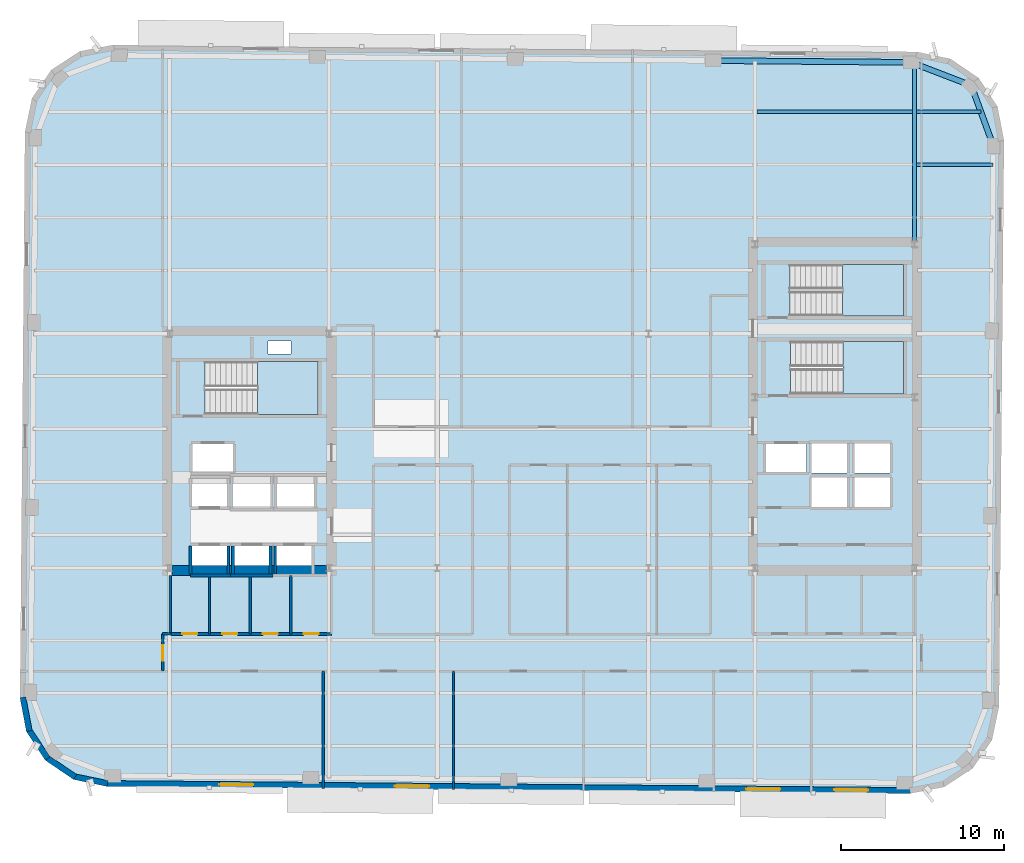
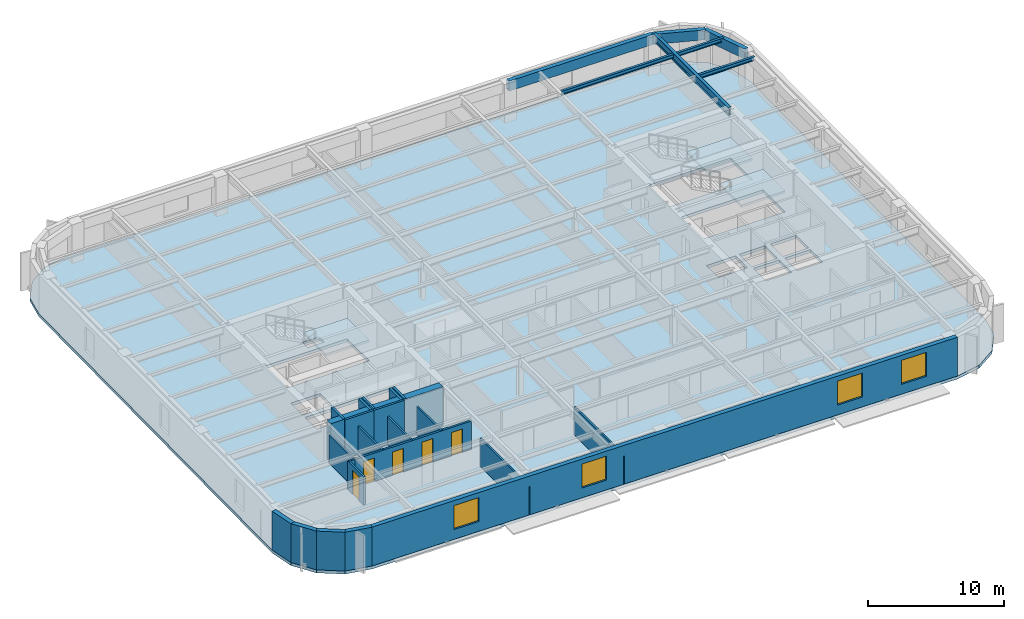
# One storey, part 3 of 12: 22 walls, 7 beams, 5 doors, 4 slabs, 4 windows, 9 openings, 3 elements without a shape of their own.
"""IFC4 building model written with IfcOpenShell, lengths in metres."""

from ifc_helpers import new_model, si_unit, direction, frame, frame_2d, origin, origin_2d, place, context, subcontext, project, spatial, polyline, rectangle, hollow_rectangle, i_section, outline, extrude, material, layer, layer_set, material_profile, profile_set, type_object, element, fill, aggregate, save


model = new_model("IFC4")

# Units and contexts
model_context = context("Model", 3, precision=1e-05, world=origin(), true_north=direction((0.0, 1.0)))
body_context = subcontext(model_context, "Body", "Model", "MODEL_VIEW")
ifc_project = project(units=[si_unit("LENGTHUNIT", "METRE"), si_unit("AREAUNIT", "SQUARE_METRE"), si_unit("VOLUMEUNIT", "CUBIC_METRE"), si_unit("PLANEANGLEUNIT", "RADIAN"), si_unit("MASSUNIT", "GRAM", prefix="KILO")], contexts=[model_context])

# Site, building, storey
site_placement = place(None, origin())
site = spatial("IfcSite", under=ifc_project, at=site_placement, CompositionType="ELEMENT")
building_placement = place(site_placement, origin())
building = spatial("IfcBuilding", under=site, at=building_placement, Name="Kolvaren Arena Tower", CompositionType="ELEMENT")
storey_placement = place(building_placement, frame((0.0, 0.0, 199.699951171875)))
storey = spatial("IfcBuildingStorey", under=building, at=storey_placement, Name="L48", CompositionType="ELEMENT", Elevation=199.699951171875)

# Beams
ifc_material_1 = material(Name="Steel CSA G40.21 350W", Category="steel")
ifc_material_profile_1 = material_profile(ifc_material_1, i_section(OverallWidth=0.2548828125, OverallDepth=0.695068359375, WebThickness=0.01708984375, FlangeThickness=0.02978515625, FilletRadius=0.01611328125, at=origin_2d()), Name="W690x217")
ifc_profile_set_1 = profile_set([ifc_material_profile_1], Name="Steel CSA G40.21 350W")
beam_type_1 = type_object("IfcBeamType", Name="GIRD-T2", PredefinedType="BEAM", material=ifc_profile_set_1)
beam_1_placement = place(storey_placement, frame((60.35009765625, 39.47998046875, 3.132568359375), z_axis=(0.0, 1.0, 0.0), x_axis=(-1.0, 0.0, 0.0)))
element("IfcBeam", 1, at=beam_1_placement, inside=storey, type_object=beam_type_1, Name="Primary Floor Girder (L48)", PredefinedType="BEAM", context=body_context, shape_type="SweptSolid", body=[
    extrude(i_section(OverallWidth=0.2548828125, OverallDepth=0.695068359375, WebThickness=0.01708984375, FlangeThickness=0.02978515625, FilletRadius=0.01611328125, at=origin_2d()), origin(), (0.0, 0.0, 1.0), 10.976806640625),
])
ifc_material_profile_2 = material_profile(ifc_material_1, i_section(OverallWidth=0.202880859375, OverallDepth=0.346923828125, WebThickness=0.0078125, FlangeThickness=0.013427734375, FilletRadius=0.010986328125, at=origin_2d()), Name="W360x64")
ifc_profile_set_2 = profile_set([ifc_material_profile_2], Name="Steel CSA G40.21 350W")
beam_type_2 = type_object("IfcBeamType", Name="JOIST-01", PredefinedType="JOIST", material=ifc_profile_set_2)
beam_2_placement = place(storey_placement, frame((60.4775390625, 44.25, 3.306640625), z_axis=(1.0, 0.0, 0.0), x_axis=(0.0, 1.0, 0.0)))
element("IfcBeam", 2, at=beam_2_placement, inside=storey, type_object=beam_type_2, Name="Composite Floor Joist (L48)", PredefinedType="JOIST", context=body_context, shape_type="SweptSolid", body=[
    extrude(i_section(OverallWidth=0.202880859375, OverallDepth=0.346923828125, WebThickness=0.0078125, FlangeThickness=0.013427734375, FilletRadius=0.010986328125, at=origin_2d()), origin(), (0.0, 0.0, 1.0), 4.710205078125),
])
beam_3_placement = place(storey_placement, frame((50.677490234375, 47.5, 3.306640625), z_axis=(1.0, 0.0, 0.0), x_axis=(0.0, 1.0, 0.0)))
element("IfcBeam", 3, at=beam_3_placement, inside=storey, type_object=beam_type_2, Name="Composite Floor Joist (L48)", PredefinedType="JOIST", context=body_context, shape_type="SweptSolid", body=[
    extrude(i_section(OverallWidth=0.202880859375, OverallDepth=0.346923828125, WebThickness=0.0078125, FlangeThickness=0.013427734375, FilletRadius=0.010986328125, at=origin_2d()), origin(), (0.0, 0.0, 1.0), 9.544921875),
])
beam_4_placement = place(storey_placement, frame((60.4775390625, 47.5, 3.306640625), z_axis=(1.0, 0.0, 0.0), x_axis=(0.0, 1.0, 0.0)))
element("IfcBeam", 4, at=beam_4_placement, inside=storey, type_object=beam_type_2, Name="Composite Floor Joist (L48)", PredefinedType="JOIST", context=body_context, shape_type="SweptSolid", body=[
    extrude(i_section(OverallWidth=0.202880859375, OverallDepth=0.346923828125, WebThickness=0.0078125, FlangeThickness=0.013427734375, FilletRadius=0.010986328125, at=origin_2d()), origin(), (0.0, 0.0, 1.0), 3.950439453125),
])
ifc_material_2 = material(Name="Steel CSA G40.21 350WT", Category="steel")
ifc_material_profile_3 = material_profile(ifc_material_2, hollow_rectangle(XDim=0.35009765625, YDim=0.89990234375, WallThickness=0.02001953125, at=origin_2d()), Name="HSS 900x350x20")
ifc_profile_set_3 = profile_set([ifc_material_profile_3], Name="Steel CSA G40.21 350WT")
beam_type_3 = type_object("IfcBeamType", Name="SPAND-01", PredefinedType="SPANDREL", material=ifc_profile_set_3)
for number, where, z_axis, x_axis, name in (
    (5, (65.19775390625, 45.392333984375, 3.030029296875), (-0.343059102458, 0.939313819882, 0.0), (-0.939313819882, -0.343059102458, 0.0), "Perimeter Spandrel Beam (L48)"),
    (6, (63.8388671875, 49.113037109375, 3.030029296875), (-0.933189846698, 0.359383792094, 0.0), (-0.359383792094, -0.933189846698, 0.0), "Perimeter Spandrel Beam (L48)"),
):
    element("IfcBeam", number, at=place(storey_placement, frame(where, z_axis=z_axis, x_axis=x_axis)), inside=storey, type_object=beam_type_3, Name=name, PredefinedType="SPANDREL", context=body_context, shape_type="SweptSolid", body=[
        extrude(hollow_rectangle(XDim=0.35009765625, YDim=0.89990234375, WallThickness=0.02001953125, at=origin_2d()), origin(), (0.0, 0.0, 1.0), 3.961181640625),
    ])
beam_5_placement = place(storey_placement, frame((60.142333984375, 50.53662109375, 3.030029296875), z_axis=(-0.99996195503, 0.008722871848, 0.0), x_axis=(-0.008722871848, -0.99996195503, 0.0)))
element("IfcBeam", 7, at=beam_5_placement, inside=storey, type_object=beam_type_3, Name="Perimeter Spandrel Beam (L48)", PredefinedType="SPANDREL", context=body_context, shape_type="SweptSolid", body=[
    extrude(hollow_rectangle(XDim=0.35009765625, YDim=0.89990234375, WallThickness=0.02001953125, at=origin_2d()), origin(), (0.0, 0.0, 1.0), 12.175048828125),
])

# Stair, slab
ifc_material_3 = material(Name="Concrete 45 MPa", Category="concrete")
stair_type_1 = type_object("IfcStairType", Name="STAIR-CORE-165", PredefinedType="HALF_TURN_STAIR", material=ifc_material_3)
stair_1_placement = place(storey_placement, origin())
stair_1 = element("IfcStair", 8, at=stair_1_placement, inside=storey, type_object=stair_type_1, Name="L48 ST-W1", PredefinedType="HALF_TURN_STAIR")
ifc_layer_1 = layer(ifc_material_3, 0.199951171875)
ifc_layer_set_1 = layer_set([ifc_layer_1], Name="Concrete 45 MPa")
slab_type_1 = type_object("IfcSlabType", Name="SLAB-LAND", PredefinedType="LANDING", material=ifc_layer_set_1)
slab_1_placement = place(storey_placement, frame((0.0, 0.0, 1.675048828125)))
slab_1 = element("IfcSlab", 9, at=slab_1_placement, type_object=slab_type_1, Name="ST-W1 landing 1", PredefinedType="LANDING", context=body_context, shape_type="SweptSolid", body=[
    extrude(outline(polyline([(19.9599609375, 28.89990234375), (23.659912109375, 28.89990234375), (23.659912109375, 32.1298828125), (19.9599609375, 32.1298828125), (19.9599609375, 28.89990234375)])), origin(), (0.0, 0.0, 1.0), 0.199951171875),
])
aggregate(stair_1, [slab_1])

stair_2_placement = place(storey_placement, origin())
stair_2 = element("IfcStair", 10, at=stair_2_placement, inside=storey, type_object=stair_type_1, Name="L48 ST-E1", PredefinedType="HALF_TURN_STAIR")
slab_2_placement = place(storey_placement, frame((0.0, 0.0, 1.675048828125)))
slab_2 = element("IfcSlab", 11, at=slab_2_placement, type_object=slab_type_1, Name="ST-E1 landing 1", PredefinedType="LANDING", context=body_context, shape_type="SweptSolid", body=[
    extrude(outline(polyline([(55.9599609375, 30.14990234375), (59.659912109375, 30.14990234375), (59.659912109375, 33.3798828125), (55.9599609375, 33.3798828125), (55.9599609375, 30.14990234375)])), origin(), (0.0, 0.0, 1.0), 0.199951171875),
])
aggregate(stair_2, [slab_2])

stair_type_2 = type_object("IfcStairType", Name="STAIR-CORE-150", PredefinedType="HALF_TURN_STAIR", material=ifc_material_3)
stair_3_placement = place(storey_placement, origin())
stair_3 = element("IfcStair", 12, at=stair_3_placement, inside=storey, type_object=stair_type_2, Name="L48 ST-E2", PredefinedType="HALF_TURN_STAIR")
slab_3_placement = place(storey_placement, frame((0.0, 0.0, 1.675048828125)))
slab_3 = element("IfcSlab", 13, at=slab_3_placement, type_object=slab_type_1, Name="ST-E2 landing 1", PredefinedType="LANDING", context=body_context, shape_type="SweptSolid", body=[
    extrude(outline(polyline([(55.919921875, 34.949951171875), (59.659912109375, 34.949951171875), (59.659912109375, 38.10009765625), (55.919921875, 38.10009765625), (55.919921875, 34.949951171875)])), origin(), (0.0, 0.0, 1.0), 0.199951171875),
])
aggregate(stair_3, [slab_3])

# Slab
ifc_layer_2 = layer(ifc_material_3, 0.27001953125)
ifc_layer_set_2 = layer_set([ifc_layer_2], Name="Concrete 45 MPa")
slab_type_2 = type_object("IfcSlabType", Name="SLAB-OFF2", PredefinedType="FLOOR", material=ifc_layer_set_2)
slab_4_placement = place(storey_placement, frame((0.0, 0.0, -0.27001953125)))
element("IfcSlab", 14, at=slab_4_placement, inside=storey, type_object=slab_type_2, Name="L48 Primary Structural Slab", PredefinedType="FLOOR", context=body_context, shape_type="SweptSolid", body=[
    extrude(outline(polyline([(60.10009765625, 5.585205078125), (62.170166015625, 5.978271484375), (63.93212890625, 7.133544921875), (65.117919921875, 8.875244140625), (65.547119140625, 10.93798828125), (65.8505859375, 45.73681640625), (65.457763671875, 47.806640625), (64.302490234375, 49.568603515625), (62.560791015625, 50.75439453125), (60.498046875, 51.18359375), (11.099853515625, 51.61474609375), (9.02978515625, 51.2216796875), (7.267822265625, 50.06640625), (6.08203125, 48.32470703125), (5.653076171875, 46.261962890625), (5.349365234375, 11.46337890625), (5.7421875, 9.393310546875), (6.8974609375, 7.63134765625), (8.63916015625, 6.445556640625), (10.701904296875, 6.016357421875), (60.10009765625, 5.585205078125)]), holes=[polyline([(15.93505859375, 19.0849609375), (15.93505859375, 20.81494140625), (18.06494140625, 20.81494140625), (18.06494140625, 19.0849609375), (15.93505859375, 19.0849609375)]), polyline([(18.534912109375, 19.0849609375), (18.534912109375, 20.81494140625), (20.6650390625, 20.81494140625), (20.6650390625, 19.0849609375), (18.534912109375, 19.0849609375)]), polyline([(21.135009765625, 19.0849609375), (21.135009765625, 20.81494140625), (23.264892578125, 20.81494140625), (23.264892578125, 19.0849609375), (21.135009765625, 19.0849609375)]), polyline([(18.4599609375, 23.135009765625), (18.4599609375, 25.06494140625), (20.739990234375, 25.06494140625), (20.739990234375, 23.135009765625), (18.4599609375, 23.135009765625)]), polyline([(21.159912109375, 23.135009765625), (21.159912109375, 25.06494140625), (23.43994140625, 25.06494140625), (23.43994140625, 23.135009765625), (21.159912109375, 23.135009765625)]), polyline([(54.030029296875, 23.18505859375), (54.030029296875, 25.014892578125), (56.2099609375, 25.014892578125), (56.2099609375, 23.18505859375), (54.030029296875, 23.18505859375)]), polyline([(56.669921875, 23.18505859375), (56.669921875, 25.014892578125), (58.85009765625, 25.014892578125), (58.85009765625, 23.18505859375), (56.669921875, 23.18505859375)]), polyline([(15.93505859375, 23.235107421875), (15.93505859375, 24.965087890625), (18.06494140625, 24.965087890625), (18.06494140625, 23.235107421875), (15.93505859375, 23.235107421875)]), polyline([(54.030029296875, 25.284912109375), (54.030029296875, 27.114990234375), (56.2099609375, 27.114990234375), (56.2099609375, 25.284912109375), (54.030029296875, 25.284912109375)]), polyline([(56.669921875, 25.284912109375), (56.669921875, 27.114990234375), (58.85009765625, 27.114990234375), (58.85009765625, 25.284912109375), (56.669921875, 25.284912109375)]), polyline([(15.9599609375, 25.3349609375), (15.9599609375, 27.06494140625), (18.43994140625, 27.06494140625), (18.43994140625, 25.3349609375), (15.9599609375, 25.3349609375)]), polyline([(51.219970703125, 25.3349609375), (51.219970703125, 27.06494140625), (53.699951171875, 27.06494140625), (53.699951171875, 25.3349609375), (51.219970703125, 25.3349609375)]), polyline([(16.735107421875, 28.89990234375), (16.735107421875, 32.1298828125), (23.659912109375, 32.1298828125), (23.659912109375, 28.89990234375), (16.735107421875, 28.89990234375)]), polyline([(52.735107421875, 30.14990234375), (52.735107421875, 33.3798828125), (59.659912109375, 33.3798828125), (59.659912109375, 30.14990234375), (52.735107421875, 30.14990234375)]), polyline([(20.60009765625, 32.6201171875), (20.60009765625, 33.39990234375), (22.0, 33.39990234375), (22.0, 32.6201171875), (20.60009765625, 32.6201171875)]), polyline([(52.695068359375, 34.949951171875), (52.695068359375, 38.10009765625), (59.659912109375, 38.10009765625), (59.659912109375, 34.949951171875), (52.695068359375, 34.949951171875)])]), origin(), (0.0, 0.0, 1.0), 0.27001953125),
])

# Wall, opening, door
ifc_material_4 = material(Name="Gypsum board acoustic assembly", Category="gypsum")
ifc_layer_3 = layer(ifc_material_4, 0.159912109375)
ifc_layer_set_3 = layer_set([ifc_layer_3], Name="Gypsum board acoustic assembly")
wall_type_1 = type_object("IfcWallType", Name="CORR-160", PredefinedType="PARTITIONING", material=ifc_layer_set_3)
wall_1_placement = place(storey_placement, frame((14.1201171875, 13.10009765625, 0.0), z_axis=(0.0, 0.0, 1.0), x_axis=(0.0, 1.0, 0.0)))
wall_1 = element("IfcWall", 15, at=wall_1_placement, inside=storey, type_object=wall_type_1, Name="Interior Partition Wall (L48)", PredefinedType="PARTITIONING", context=body_context, shape_type="SweptSolid", body=[
    extrude(rectangle(XDim=2.2998046875, YDim=0.159912109375, at=frame_2d((1.14990234375, 0.0))), origin(), (0.0, 0.0, 1.0), 2.5400390625),
])
opening_1_placement = place(wall_1_placement, frame((0.64990234375, 0.0, 0.0)))
opening_1 = element("IfcOpeningElement", 16, at=opening_1_placement, cuts=wall_1, Name="Opening D05", PredefinedType="OPENING", context=body_context, shape_type="SweptSolid", body=[
    extrude(rectangle(XDim=0.949951171875, YDim=2.14990234375, at=frame_2d((0.47509765625, 1.074951171875))), frame((0.0, 0.08984375, 0.0), z_axis=(0.0, -1.0, 0.0), x_axis=(1.0, 0.0, 0.0)), (0.0, 0.0, 1.0), 0.179931640625),
])
ifc_material_5 = material(Name="Solid-core oak acoustic office door", Category="wood")
door_type_1 = type_object("IfcDoorType", Name="DOOR-OF-095", OperationType="NOTDEFINED", PredefinedType="DOOR", material=ifc_material_5)
door_1_placement = place(opening_1_placement, origin())
door_1 = element("IfcDoor", 17, at=door_1_placement, inside=storey, type_object=door_type_1, Name="West Wing Office Door (L48)", OperationType="SINGLE_SWING_LEFT", OverallHeight=2.14990234375, OverallWidth=0.949951171875, PredefinedType="DOOR", context=body_context, shape_type="SweptSolid", body=[
    extrude(rectangle(XDim=0.949951171875, YDim=2.14990234375, at=frame_2d((0.47509765625, 1.074951171875))), frame((0.0, 0.02490234375, 0.0), z_axis=(0.0, -1.0, 0.0), x_axis=(1.0, 0.0, 0.0)), (0.0, 0.0, 1.0), 0.050048828125),
])
fill(opening_1, door_1)

# Walls
wall_2_placement = place(storey_placement, frame((14.1201171875, 15.39990234375, 0.0), z_axis=(0.0, 0.0, 1.0), x_axis=(1.0, 0.0, 0.0)))
element("IfcWall", 18, at=wall_2_placement, inside=storey, type_object=wall_type_1, Name="Interior Partition Wall (L48)", PredefinedType="PARTITIONING", context=body_context, shape_type="SweptSolid", body=[
    extrude(rectangle(XDim=0.5, YDim=0.159912109375, at=frame_2d((0.25, 0.0))), origin(), (0.0, 0.0, 1.0), 2.5400390625),
])
ifc_material_6 = material(Name="Concrete 60 MPa", Category="concrete")
ifc_layer_4 = layer(ifc_material_6, 0.60009765625)
ifc_layer_set_4 = layer_set([ifc_layer_4], Name="Concrete 60 MPa")
wall_type_2 = type_object("IfcWallType", Name="CWALL-600", PredefinedType="SHEAR", material=ifc_layer_set_4)
wall_3_placement = place(storey_placement, frame((14.699951171875, 19.300048828125, -0.27001953125), z_axis=(0.0, 0.0, 1.0), x_axis=(1.0, 0.0, 0.0)))
element("IfcWall", 19, at=wall_3_placement, inside=storey, type_object=wall_type_2, Name="Core Shear Wall WC-SOUTH (L48)", PredefinedType="SHEAR", context=body_context, shape_type="SweptSolid", body=[
    extrude(rectangle(XDim=9.5, YDim=0.60009765625, at=frame_2d((4.75, 0.0))), origin(), (0.0, 0.0, 1.0), 3.75),
])
ifc_material_7 = material(Name="Precast concrete C50/60", Category="concrete")
ifc_layer_5 = layer(ifc_material_7, 0.360107421875)
ifc_layer_set_5 = layer_set([ifc_layer_5], Name="Precast concrete C50/60")
wall_type_3 = type_object("IfcWallType", Name="EXT-PIER2", PredefinedType="SOLIDWALL", material=ifc_layer_set_5)
for number, where, z_axis, x_axis, name in (
    (20, (5.919189453125, 9.427001953125, 0.0), (0.0, 0.0, 1.0), (-0.186568933123, 0.982441872679, 0.0), "Exterior Precast Masonry-Frame Wall (L48)"),
    (21, (7.048095703125, 7.72998046875, 0.0), (0.0, 0.0, 1.0), (-0.548319766745, 0.836268756678, 0.0), "Exterior Precast Masonry-Frame Wall (L48)"),
    (22, (8.740478515625, 6.59423828125, 0.0), (0.0, 0.0, 1.0), (-0.826609569219, 0.56277581689, 0.0), "Exterior Precast Masonry-Frame Wall (L48)"),
):
    element("IfcWall", number, at=place(storey_placement, frame(where, z_axis=z_axis, x_axis=x_axis)), inside=storey, type_object=wall_type_3, Name=name, PredefinedType="SOLIDWALL", context=body_context, shape_type="SweptSolid", body=[
        extrude(rectangle(XDim=2.10693359375, YDim=0.360107421875, at=frame_2d((1.053466796875, 0.0))), origin(), (0.0, 0.0, 1.0), 3.47998046875),
    ])
wall_4_placement = place(storey_placement, frame((10.73876953125, 6.192626953125, 0.0), z_axis=(0.0, 0.0, 1.0), x_axis=(-0.979059388908, 0.203574833883, 0.0)))
element("IfcWall", 23, at=wall_4_placement, inside=storey, type_object=wall_type_3, Name="Exterior Precast Masonry-Frame Wall (L48)", PredefinedType="SOLIDWALL", context=body_context, shape_type="SweptSolid", body=[
    extrude(rectangle(XDim=2.107177734375, YDim=0.360107421875, at=frame_2d((1.0537109375, 0.0))), origin(), (0.0, 0.0, 1.0), 3.47998046875),
])

# Wall, openings, windows
wall_5_placement = place(storey_placement, frame((60.101806640625, 5.765380859375, 0.0), z_axis=(0.0, 0.0, 1.0), x_axis=(-0.999961955436, 0.008722825272, 0.0)))
wall_5 = element("IfcWall", 24, at=wall_5_placement, inside=storey, type_object=wall_type_3, Name="Exterior Precast Masonry-Frame Wall (L48)", PredefinedType="SOLIDWALL", context=body_context, shape_type="SweptSolid", body=[
    extrude(rectangle(XDim=49.400146484375, YDim=0.360107421875, at=frame_2d((24.7001953125, 0.0))), origin(), (0.0, 0.0, 1.0), 3.47998046875),
])
opening_2_placement = place(wall_5_placement, frame((2.60009765625, 0.0, 0.8798828125)))
opening_2 = element("IfcOpeningElement", 25, at=opening_2_placement, cuts=wall_5, Name="Opening W01", PredefinedType="OPENING", context=body_context, shape_type="SweptSolid", body=[
    extrude(rectangle(XDim=2.10009765625, YDim=2.14990234375, at=frame_2d((1.050048828125, 1.074951171875))), frame((0.0, 0.18994140625, 0.0), z_axis=(0.0, -1.0, 0.0), x_axis=(1.0, 0.0, 0.0)), (0.0, 0.0, 1.0), 0.380126953125),
])
opening_3_placement = place(wall_5_placement, frame((8.0, 0.0, 0.8798828125)))
opening_3 = element("IfcOpeningElement", 26, at=opening_3_placement, cuts=wall_5, Name="Opening W01", PredefinedType="OPENING", context=body_context, shape_type="SweptSolid", body=[
    extrude(rectangle(XDim=2.10009765625, YDim=2.14990234375, at=frame_2d((1.050048828125, 1.074951171875))), frame((0.0, 0.18994140625, 0.0), z_axis=(0.0, -1.0, 0.0), x_axis=(1.0, 0.0, 0.0)), (0.0, 0.0, 1.0), 0.380126953125),
])
opening_4_placement = place(wall_5_placement, frame((29.60009765625, 0.0, 0.8798828125)))
opening_4 = element("IfcOpeningElement", 27, at=opening_4_placement, cuts=wall_5, Name="Opening W01", PredefinedType="OPENING", context=body_context, shape_type="SweptSolid", body=[
    extrude(rectangle(XDim=2.10009765625, YDim=2.14990234375, at=frame_2d((1.050048828125, 1.074951171875))), frame((0.0, 0.18994140625, 0.0), z_axis=(0.0, -1.0, 0.0), x_axis=(1.0, 0.0, 0.0)), (0.0, 0.0, 1.0), 0.380126953125),
])
opening_5_placement = place(wall_5_placement, frame((40.39990234375, 0.0, 0.8798828125)))
opening_5 = element("IfcOpeningElement", 28, at=opening_5_placement, cuts=wall_5, Name="Opening W01", PredefinedType="OPENING", context=body_context, shape_type="SweptSolid", body=[
    extrude(rectangle(XDim=2.10009765625, YDim=2.14990234375, at=frame_2d((1.050048828125, 1.074951171875))), frame((0.0, 0.18994140625, 0.0), z_axis=(0.0, -1.0, 0.0), x_axis=(1.0, 0.0, 0.0)), (0.0, 0.0, 1.0), 0.380126953125),
])
ifc_material_8 = material(Name="Triple-glazed low-E aluminium window", Category="aluminium")
window_type = type_object("IfcWindowType", Name="WIN-OFF-A", PartitioningType="DOUBLE_PANEL_VERTICAL", PredefinedType="WINDOW", material=ifc_material_8)
window_1_placement = place(opening_2_placement, origin())
window_1 = element("IfcWindow", 29, at=window_1_placement, inside=storey, type_object=window_type, Name="Punched Precast-Pier Window (L48)", OverallHeight=2.14990234375, OverallWidth=2.10009765625, PartitioningType="DOUBLE_PANEL_VERTICAL", PredefinedType="WINDOW", context=body_context, shape_type="SweptSolid", body=[
    extrude(rectangle(XDim=2.10009765625, YDim=2.14990234375, at=frame_2d((1.050048828125, 1.074951171875))), frame((0.0, 0.030029296875, 0.0), z_axis=(0.0, -1.0, 0.0), x_axis=(1.0, 0.0, 0.0)), (0.0, 0.0, 1.0), 0.06005859375),
])
fill(opening_2, window_1)
window_2_placement = place(opening_3_placement, origin())
window_2 = element("IfcWindow", 30, at=window_2_placement, inside=storey, type_object=window_type, Name="Punched Precast-Pier Window (L48)", OverallHeight=2.14990234375, OverallWidth=2.10009765625, PartitioningType="DOUBLE_PANEL_VERTICAL", PredefinedType="WINDOW", context=body_context, shape_type="SweptSolid", body=[
    extrude(rectangle(XDim=2.10009765625, YDim=2.14990234375, at=frame_2d((1.050048828125, 1.074951171875))), frame((0.0, 0.030029296875, 0.0), z_axis=(0.0, -1.0, 0.0), x_axis=(1.0, 0.0, 0.0)), (0.0, 0.0, 1.0), 0.06005859375),
])
fill(opening_3, window_2)
window_3_placement = place(opening_4_placement, origin())
window_3 = element("IfcWindow", 31, at=window_3_placement, inside=storey, type_object=window_type, Name="Punched Precast-Pier Window (L48)", OverallHeight=2.14990234375, OverallWidth=2.10009765625, PartitioningType="DOUBLE_PANEL_VERTICAL", PredefinedType="WINDOW", context=body_context, shape_type="SweptSolid", body=[
    extrude(rectangle(XDim=2.10009765625, YDim=2.14990234375, at=frame_2d((1.050048828125, 1.074951171875))), frame((0.0, 0.030029296875, 0.0), z_axis=(0.0, -1.0, 0.0), x_axis=(1.0, 0.0, 0.0)), (0.0, 0.0, 1.0), 0.06005859375),
])
fill(opening_4, window_3)
window_4_placement = place(opening_5_placement, origin())
window_4 = element("IfcWindow", 32, at=window_4_placement, inside=storey, type_object=window_type, Name="Punched Precast-Pier Window (L48)", OverallHeight=2.14990234375, OverallWidth=2.10009765625, PartitioningType="DOUBLE_PANEL_VERTICAL", PredefinedType="WINDOW", context=body_context, shape_type="SweptSolid", body=[
    extrude(rectangle(XDim=2.10009765625, YDim=2.14990234375, at=frame_2d((1.050048828125, 1.074951171875))), frame((0.0, 0.030029296875, 0.0), z_axis=(0.0, -1.0, 0.0), x_axis=(1.0, 0.0, 0.0)), (0.0, 0.0, 1.0), 0.06005859375),
])
fill(opening_5, window_4)

# Walls
ifc_material_9 = material(Name="Gypsum board partition assembly", Category="gypsum")
ifc_layer_6 = layer(ifc_material_9, 0.135009765625)
ifc_layer_set_6 = layer_set([ifc_layer_6], Name="Gypsum board partition assembly")
wall_type_4 = type_object("IfcWallType", Name="PART-135", PredefinedType="PARTITIONING", material=ifc_layer_set_6)
wall_6_placement = place(storey_placement, frame((24.0, 5.900390625, 0.0), z_axis=(0.0, 0.0, 1.0), x_axis=(0.0, 1.0, 0.0)))
element("IfcWall", 33, at=wall_6_placement, inside=storey, type_object=wall_type_4, Name="Interior Partition Wall (L48)", PredefinedType="PARTITIONING", context=body_context, shape_type="SweptSolid", body=[
    extrude(rectangle(XDim=7.19970703125, YDim=0.135009765625, at=frame_2d((3.599853515625, 0.0))), origin(), (0.0, 0.0, 1.0), 2.5400390625),
])
wall_7_placement = place(storey_placement, frame((32.0, 5.83056640625, 0.0), z_axis=(0.0, 0.0, 1.0), x_axis=(0.0, 1.0, 0.0)))
element("IfcWall", 34, at=wall_7_placement, inside=storey, type_object=wall_type_4, Name="Interior Partition Wall (L48)", PredefinedType="PARTITIONING", context=body_context, shape_type="SweptSolid", body=[
    extrude(rectangle(XDim=7.26953125, YDim=0.135009765625, at=frame_2d((3.634765625, 0.0))), origin(), (0.0, 0.0, 1.0), 2.5400390625),
])
ifc_layer_7 = layer(ifc_material_3, 0.25)
ifc_layer_set_7 = layer_set([ifc_layer_7], Name="Concrete 45 MPa")
wall_type_5 = type_object("IfcWallType", Name="SHAFT-250", PredefinedType="SOLIDWALL", material=ifc_layer_set_7)
wall_8_placement = place(storey_placement, frame((15.844970703125, 18.9951171875, 0.0), z_axis=(0.0, 0.0, 1.0), x_axis=(1.0, 0.0, 0.0)))
element("IfcWall", 35, at=wall_8_placement, inside=storey, type_object=wall_type_5, Name="Core Shaft Wall (L48)", PredefinedType="SOLIDWALL", context=body_context, shape_type="SweptSolid", body=[
    extrude(rectangle(XDim=2.455078125, YDim=0.179931640625, at=frame_2d((1.2275390625, 0.0))), origin(), (0.0, 0.0, 1.0), 3.47998046875),
])
for number, where, z_axis, x_axis, name in (
    (36, (15.844970703125, 19.0849609375, 0.0), (0.0, 0.0, 1.0), (0.0, 1.0, 0.0), "Core Shaft Wall (L48)"),
    (37, (18.155029296875, 19.0849609375, 0.0), (0.0, 0.0, 1.0), (0.0, 1.0, 0.0), "Core Shaft Wall (L48)"),
):
    element("IfcWall", number, at=place(storey_placement, frame(where, z_axis=z_axis, x_axis=x_axis)), inside=storey, type_object=wall_type_5, Name=name, PredefinedType="SOLIDWALL", context=body_context, shape_type="SweptSolid", body=[
        extrude(rectangle(XDim=1.72998046875, YDim=0.179931640625, at=frame_2d((0.864990234375, 0.0))), origin(), (0.0, 0.0, 1.0), 3.47998046875),
    ])
wall_9_placement = place(storey_placement, frame((18.300048828125, 18.9951171875, 0.0), z_axis=(0.0, 0.0, 1.0), x_axis=(1.0, 0.0, 0.0)))
element("IfcWall", 38, at=wall_9_placement, inside=storey, type_object=wall_type_5, Name="Core Shaft Wall (L48)", PredefinedType="SOLIDWALL", context=body_context, shape_type="SweptSolid", body=[
    extrude(rectangle(XDim=2.599853515625, YDim=0.179931640625, at=frame_2d((1.2998046875, 0.0))), origin(), (0.0, 0.0, 1.0), 3.47998046875),
])
for number, where, z_axis, x_axis, name in (
    (39, (18.445068359375, 19.0849609375, 0.0), (0.0, 0.0, 1.0), (0.0, 1.0, 0.0), "Core Shaft Wall (L48)"),
    (40, (20.7548828125, 19.0849609375, 0.0), (0.0, 0.0, 1.0), (0.0, 1.0, 0.0), "Core Shaft Wall (L48)"),
    (41, (21.044921875, 19.0849609375, 0.0), (0.0, 0.0, 1.0), (0.0, 1.0, 0.0), "Core Shaft Wall (L48)"),
):
    element("IfcWall", number, at=place(storey_placement, frame(where, z_axis=z_axis, x_axis=x_axis)), inside=storey, type_object=wall_type_5, Name=name, PredefinedType="SOLIDWALL", context=body_context, shape_type="SweptSolid", body=[
        extrude(rectangle(XDim=1.72998046875, YDim=0.179931640625, at=frame_2d((0.864990234375, 0.0))), origin(), (0.0, 0.0, 1.0), 3.47998046875),
    ])
ifc_material_10 = material(Name="Moisture-resistant gypsum assembly", Category="gypsum")
ifc_layer_8 = layer(ifc_material_10, 0.14990234375)
ifc_layer_set_8 = layer_set([ifc_layer_8], Name="Moisture-resistant gypsum assembly")
wall_type_6 = type_object("IfcWallType", Name="WETW-150", PredefinedType="PARTITIONING", material=ifc_layer_set_8)
for number, where, z_axis, x_axis, name in (
    (42, (17.0, 15.39990234375, 0.0), (0.0, 0.0, 1.0), (0.0, 1.0, 0.0), "Interior Partition Wall (L48)"),
    (43, (19.5, 15.39990234375, 0.0), (0.0, 0.0, 1.0), (0.0, 1.0, 0.0), "Interior Partition Wall (L48)"),
    (44, (22.0, 15.39990234375, 0.0), (0.0, 0.0, 1.0), (0.0, 1.0, 0.0), "Interior Partition Wall (L48)"),
):
    element("IfcWall", number, at=place(storey_placement, frame(where, z_axis=z_axis, x_axis=x_axis)), inside=storey, type_object=wall_type_6, Name=name, PredefinedType="PARTITIONING", context=body_context, shape_type="SweptSolid", body=[
        extrude(rectangle(XDim=3.580078125, YDim=0.14990234375, at=frame_2d((1.7900390625, 0.0))), origin(), (0.0, 0.0, 1.0), 2.5400390625),
    ])

# Wall, openings, doors
wall_10_placement = place(storey_placement, frame((14.60009765625, 15.39990234375, 0.0), z_axis=(0.0, 0.0, 1.0), x_axis=(1.0, 0.0, 0.0)))
wall_10 = element("IfcWall", 45, at=wall_10_placement, inside=storey, type_object=wall_type_6, Name="Interior Partition Wall (L48)", PredefinedType="PARTITIONING", context=body_context, shape_type="SweptSolid", body=[
    extrude(rectangle(XDim=9.89990234375, YDim=0.179931640625, at=frame_2d((4.949951171875, 0.0))), origin(), (0.0, 0.0, 1.0), 2.5400390625),
])
opening_6_placement = place(wall_10_placement, frame((0.739990234375, 0.0, 0.0)))
opening_6 = element("IfcOpeningElement", 46, at=opening_6_placement, cuts=wall_10, Name="Opening D07", PredefinedType="OPENING", context=body_context, shape_type="SweptSolid", body=[
    extrude(rectangle(XDim=0.919921875, YDim=2.10009765625, at=frame_2d((0.4599609375, 1.050048828125))), frame((0.0, 0.099853515625, 0.0), z_axis=(0.0, -1.0, 0.0), x_axis=(1.0, 0.0, 0.0)), (0.0, 0.0, 1.0), 0.199951171875),
])
opening_7_placement = place(wall_10_placement, frame((3.18994140625, 0.0, 0.0)))
opening_7 = element("IfcOpeningElement", 47, at=opening_7_placement, cuts=wall_10, Name="Opening D07", PredefinedType="OPENING", context=body_context, shape_type="SweptSolid", body=[
    extrude(rectangle(XDim=0.919921875, YDim=2.10009765625, at=frame_2d((0.4599609375, 1.050048828125))), frame((0.0, 0.099853515625, 0.0), z_axis=(0.0, -1.0, 0.0), x_axis=(1.0, 0.0, 0.0)), (0.0, 0.0, 1.0), 0.199951171875),
])
opening_8_placement = place(wall_10_placement, frame((5.68994140625, 0.0, 0.0)))
opening_8 = element("IfcOpeningElement", 48, at=opening_8_placement, cuts=wall_10, Name="Opening D07", PredefinedType="OPENING", context=body_context, shape_type="SweptSolid", body=[
    extrude(rectangle(XDim=0.919921875, YDim=2.10009765625, at=frame_2d((0.4599609375, 1.050048828125))), frame((0.0, 0.099853515625, 0.0), z_axis=(0.0, -1.0, 0.0), x_axis=(1.0, 0.0, 0.0)), (0.0, 0.0, 1.0), 0.199951171875),
])
opening_9_placement = place(wall_10_placement, frame((8.18994140625, 0.0, 0.0)))
opening_9 = element("IfcOpeningElement", 49, at=opening_9_placement, cuts=wall_10, Name="Opening D07", PredefinedType="OPENING", context=body_context, shape_type="SweptSolid", body=[
    extrude(rectangle(XDim=0.919921875, YDim=2.10009765625, at=frame_2d((0.4599609375, 1.050048828125))), frame((0.0, 0.099853515625, 0.0), z_axis=(0.0, -1.0, 0.0), x_axis=(1.0, 0.0, 0.0)), (0.0, 0.0, 1.0), 0.199951171875),
])
ifc_material_11 = material(Name="Laminate universal washroom door", Category="wood")
door_type_2 = type_object("IfcDoorType", Name="DOOR-WC-092", OperationType="NOTDEFINED", PredefinedType="DOOR", material=ifc_material_11)
door_2_placement = place(opening_6_placement, origin())
door_2 = element("IfcDoor", 50, at=door_2_placement, inside=storey, type_object=door_type_2, Name="Cleaner and Janitor Store Door (L48)", OperationType="SINGLE_SWING_RIGHT", OverallHeight=2.10009765625, OverallWidth=0.919921875, PredefinedType="DOOR", context=body_context, shape_type="SweptSolid", body=[
    extrude(rectangle(XDim=0.919921875, YDim=2.10009765625, at=frame_2d((0.4599609375, 1.050048828125))), frame((0.0, 0.02490234375, 0.0), z_axis=(0.0, -1.0, 0.0), x_axis=(1.0, 0.0, 0.0)), (0.0, 0.0, 1.0), 0.050048828125),
])
fill(opening_6, door_2)
door_3_placement = place(opening_7_placement, origin())
door_3 = element("IfcDoor", 51, at=door_3_placement, inside=storey, type_object=door_type_2, Name="Universal Barrier-Free Washroom Door (L48)", OperationType="SINGLE_SWING_LEFT", OverallHeight=2.10009765625, OverallWidth=0.919921875, PredefinedType="DOOR", context=body_context, shape_type="SweptSolid", body=[
    extrude(rectangle(XDim=0.919921875, YDim=2.10009765625, at=frame_2d((0.4599609375, 1.050048828125))), frame((0.0, 0.02490234375, 0.0), z_axis=(0.0, -1.0, 0.0), x_axis=(1.0, 0.0, 0.0)), (0.0, 0.0, 1.0), 0.050048828125),
])
fill(opening_7, door_3)
door_4_placement = place(opening_8_placement, origin())
door_4 = element("IfcDoor", 52, at=door_4_placement, inside=storey, type_object=door_type_2, Name="Women Restroom Door (L48)", OperationType="SINGLE_SWING_RIGHT", OverallHeight=2.10009765625, OverallWidth=0.919921875, PredefinedType="DOOR", context=body_context, shape_type="SweptSolid", body=[
    extrude(rectangle(XDim=0.919921875, YDim=2.10009765625, at=frame_2d((0.4599609375, 1.050048828125))), frame((0.0, 0.02490234375, 0.0), z_axis=(0.0, -1.0, 0.0), x_axis=(1.0, 0.0, 0.0)), (0.0, 0.0, 1.0), 0.050048828125),
])
fill(opening_8, door_4)
door_5_placement = place(opening_9_placement, origin())
door_5 = element("IfcDoor", 53, at=door_5_placement, inside=storey, type_object=door_type_2, Name="Men Restroom Door (L48)", OperationType="SINGLE_SWING_LEFT", OverallHeight=2.10009765625, OverallWidth=0.919921875, PredefinedType="DOOR", context=body_context, shape_type="SweptSolid", body=[
    extrude(rectangle(XDim=0.919921875, YDim=2.10009765625, at=frame_2d((0.4599609375, 1.050048828125))), frame((0.0, 0.02490234375, 0.0), z_axis=(0.0, -1.0, 0.0), x_axis=(1.0, 0.0, 0.0)), (0.0, 0.0, 1.0), 0.050048828125),
])
fill(opening_9, door_5)

# Wall
wall_11_placement = place(storey_placement, frame((14.60009765625, 15.39990234375, 0.0), z_axis=(0.0, 0.0, 1.0), x_axis=(0.0, 1.0, 0.0)))
element("IfcWall", 54, at=wall_11_placement, inside=storey, type_object=wall_type_6, Name="Interior Partition Wall (L48)", PredefinedType="PARTITIONING", context=body_context, shape_type="SweptSolid", body=[
    extrude(rectangle(XDim=3.580078125, YDim=0.14990234375, at=frame_2d((1.7900390625, 0.0))), origin(), (0.0, 0.0, 1.0), 2.5400390625),
])

save(model, "model.ifc")
